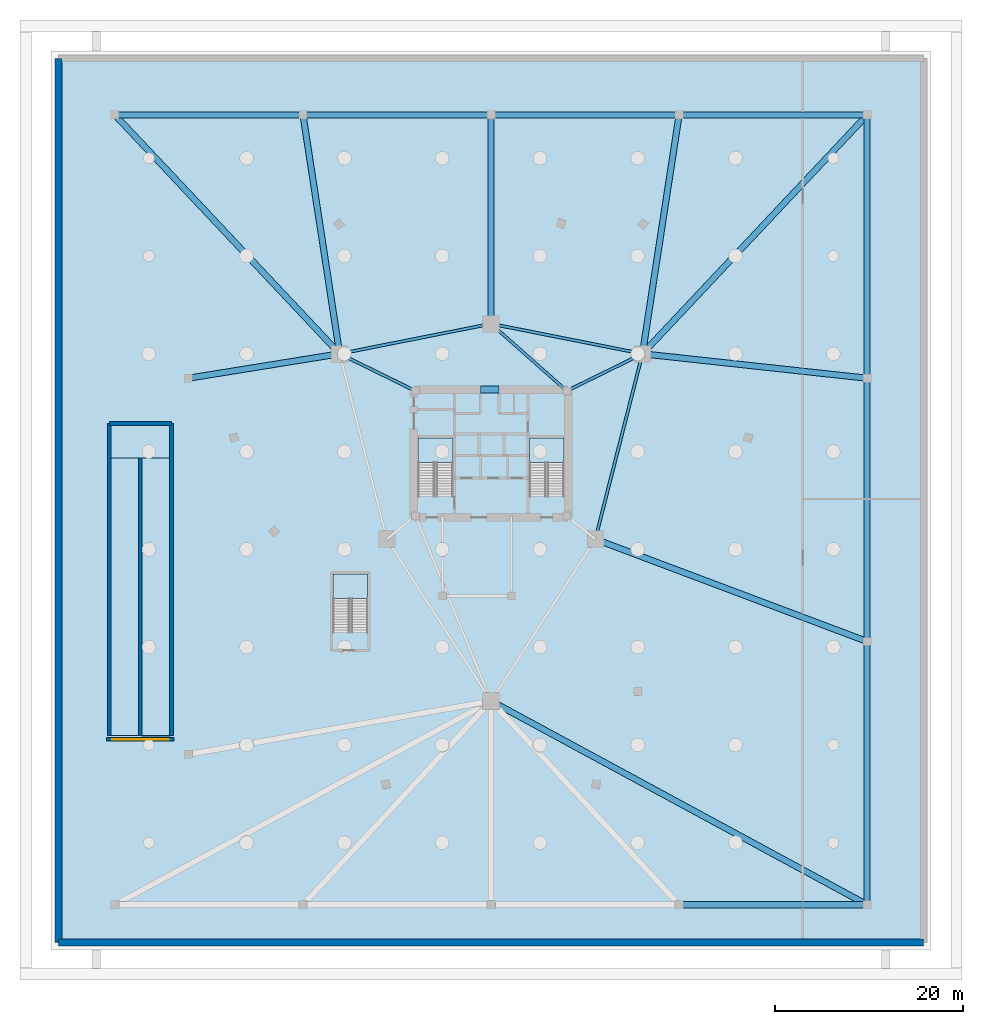
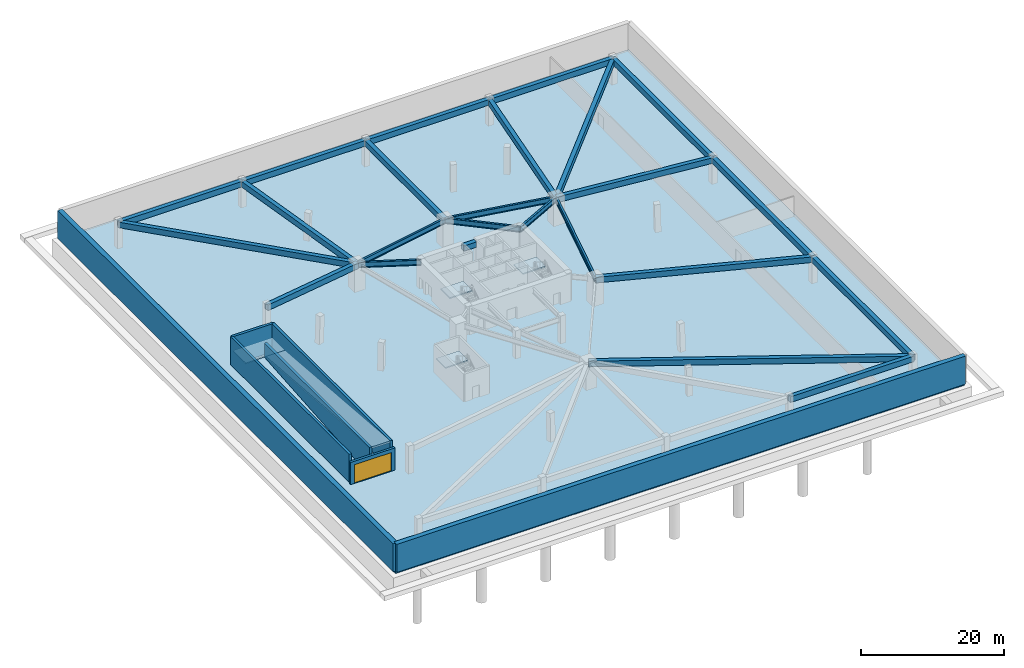
# One storey, part 2 of 5: 24 beams, 7 slabs, 7 walls, 1 door, 1 opening, 3 elements without a shape of their own.
"""IFC4 building model written with IfcOpenShell, lengths in metres."""

from ifc_helpers import new_model, si_unit, direction, frame, frame_2d, origin, origin_2d, place, context, subcontext, project, spatial, polyline, rectangle, i_section, outline, extrude, material, layer, layer_set, material_profile, profile_set, type_object, element, fill, aggregate, save


model = new_model("IFC4")

# Units and contexts
model_context = context("Model", 3, precision=1e-05, world=origin(), true_north=direction((0.0, 1.0)))
body_context = subcontext(model_context, "Body", "Model", "MODEL_VIEW")
ifc_project = project(units=[si_unit("LENGTHUNIT", "METRE"), si_unit("AREAUNIT", "SQUARE_METRE"), si_unit("VOLUMEUNIT", "CUBIC_METRE"), si_unit("PLANEANGLEUNIT", "RADIAN"), si_unit("MASSUNIT", "GRAM", prefix="KILO")], contexts=[model_context])

# Site, building, storey
site_placement = place(None, origin())
site = spatial("IfcSite", under=ifc_project, at=site_placement, CompositionType="ELEMENT")
building_placement = place(site_placement, origin())
building = spatial("IfcBuilding", under=site, at=building_placement, Name="Talyreon Biosciences Tower", CompositionType="ELEMENT")
storey_placement = place(building_placement, frame((0.0, 0.0, -9.60009765625)))
storey = spatial("IfcBuildingStorey", under=building, at=storey_placement, Name="B2", CompositionType="ELEMENT", Elevation=-9.60009765625)

# Beams
ifc_material_1 = material(Name="Concrete C60/75", Category="concrete")
ifc_material_profile_1 = material_profile(ifc_material_1, rectangle(XDim=0.699951171875, YDim=0.89990234375, at=origin_2d()), Name="RCB 700x900")
ifc_profile_set_1 = profile_set([ifc_material_profile_1], Name="Concrete C60/75")
beam_type_1 = type_object("IfcBeamType", Name="CoreCouplingLintel_700x900", PredefinedType="LINTEL", material=ifc_profile_set_1)
beam_1_placement = place(storey_placement, frame((64.85009765625, 74.800048828125, 4.0), z_axis=(1.0, 0.0, 0.0), x_axis=(0.0, 1.0, 0.0)))
element("IfcBeam", 1, at=beam_1_placement, inside=storey, type_object=beam_type_1, Name="B2 Core Coupling Lintel", PredefinedType="LINTEL", context=body_context, shape_type="SweptSolid", body=[
    extrude(rectangle(XDim=0.699951171875, YDim=0.89990234375, at=origin_2d()), origin(), (0.0, 0.0, 1.0), 2.0),
])
ifc_material_2 = material(Name="Concrete C50/60", Category="concrete")
ifc_material_profile_2 = material_profile(ifc_material_2, rectangle(XDim=0.64990234375, YDim=0.949951171875, at=origin_2d()), Name="RCB 650x950")
ifc_profile_set_2 = profile_set([ifc_material_profile_2], Name="Concrete C50/60")
beam_type_2 = type_object("IfcBeamType", Name="PodiumGirder_650x950", PredefinedType="T_BEAM", material=ifc_profile_set_2)
beam_2_placement = place(storey_placement, frame((86.0, 20.0, 3.97509765625), z_axis=(1.0, 0.0, 0.0), x_axis=(0.0, 1.0, 0.0)))
element("IfcBeam", 2, at=beam_2_placement, inside=storey, type_object=beam_type_2, Name="B2 Podium Perimeter Ring Girder 04", PredefinedType="T_BEAM", context=body_context, shape_type="SweptSolid", body=[
    extrude(rectangle(XDim=0.64990234375, YDim=0.949951171875, at=origin_2d()), origin(), (0.0, 0.0, 1.0), 20.0),
])
for number, where, z_axis, x_axis, name in (
    (3, (106.0, 20.0, 3.97509765625), (0.0, 1.0, 0.0), (-1.0, 0.0, 0.0), "B2 Podium Perimeter Ring Girder 05"),
    (4, (106.0, 48.0, 3.97509765625), (0.0, 1.0, 0.0), (-1.0, 0.0, 0.0), "B2 Podium Perimeter Ring Girder 06"),
    (5, (106.0, 76.0, 3.97509765625), (0.0, 1.0, 0.0), (-1.0, 0.0, 0.0), "B2 Podium Perimeter Ring Girder 07"),
):
    element("IfcBeam", number, at=place(storey_placement, frame(where, z_axis=z_axis, x_axis=x_axis)), inside=storey, type_object=beam_type_2, Name=name, PredefinedType="T_BEAM", context=body_context, shape_type="SweptSolid", body=[
        extrude(rectangle(XDim=0.64990234375, YDim=0.949951171875, at=origin_2d()), origin(), (0.0, 0.0, 1.0), 28.0),
    ])
for number, where, z_axis, x_axis, name in (
    (6, (106.0, 104.0, 3.97509765625), (-1.0, 0.0, 0.0), (0.0, -1.0, 0.0), "B2 Podium Perimeter Ring Girder 08"),
    (7, (86.0, 104.0, 3.97509765625), (-1.0, 0.0, 0.0), (0.0, -1.0, 0.0), "B2 Podium Perimeter Ring Girder 09"),
    (8, (66.0, 104.0, 3.97509765625), (-1.0, 0.0, 0.0), (0.0, -1.0, 0.0), "B2 Podium Perimeter Ring Girder 10"),
    (9, (46.0, 104.0, 3.97509765625), (-1.0, 0.0, 0.0), (0.0, -1.0, 0.0), "B2 Podium Perimeter Ring Girder 11"),
):
    element("IfcBeam", number, at=place(storey_placement, frame(where, z_axis=z_axis, x_axis=x_axis)), inside=storey, type_object=beam_type_2, Name=name, PredefinedType="T_BEAM", context=body_context, shape_type="SweptSolid", body=[
        extrude(rectangle(XDim=0.64990234375, YDim=0.949951171875, at=origin_2d()), origin(), (0.0, 0.0, 1.0), 20.0),
    ])
beam_3_placement = place(storey_placement, frame((66.0, 41.6669921875, 3.97509765625), z_axis=(0.879288969782, -0.47628868097, 0.0), x_axis=(0.47628868097, 0.879288969782, 0.0)))
element("IfcBeam", 10, at=beam_3_placement, inside=storey, type_object=beam_type_2, Name="B2 Podium Radial Tie Girder PDC05", PredefinedType="T_BEAM", context=body_context, shape_type="SweptSolid", body=[
    extrude(rectangle(XDim=0.64990234375, YDim=0.949951171875, at=origin_2d()), origin(), (0.0, 0.0, 1.0), 45.4912109375),
])
beam_4_placement = place(storey_placement, frame((77.086181640625, 58.88037109375, 3.97509765625), z_axis=(0.935927476384, -0.352192786623, 0.0), x_axis=(0.352192786623, 0.935927476384, 0.0)))
element("IfcBeam", 11, at=beam_4_placement, inside=storey, type_object=beam_type_2, Name="B2 Podium Radial Tie Girder PDC06", PredefinedType="T_BEAM", context=body_context, shape_type="SweptSolid", body=[
    extrude(rectangle(XDim=0.64990234375, YDim=0.949951171875, at=origin_2d()), origin(), (0.0, 0.0, 1.0), 30.893310546875),
])
beam_5_placement = place(storey_placement, frame((82.102294921875, 78.5986328125, 3.97509765625), z_axis=(0.994139742168, -0.108102604236, 0.0), x_axis=(0.108102604236, 0.994139742168, 0.0)))
element("IfcBeam", 12, at=beam_5_placement, inside=storey, type_object=beam_type_2, Name="B2 Podium Radial Tie Girder PDC07", PredefinedType="T_BEAM", context=body_context, shape_type="SweptSolid", body=[
    extrude(rectangle(XDim=0.64990234375, YDim=0.949951171875, at=origin_2d()), origin(), (0.0, 0.0, 1.0), 24.03857421875),
])
beam_6_placement = place(storey_placement, frame((82.102294921875, 78.5986328125, 3.97509765625), z_axis=(0.685220788465, 0.728335411095, 0.0), x_axis=(-0.728335411095, 0.685220788465, 0.0)))
element("IfcBeam", 13, at=beam_6_placement, inside=storey, type_object=beam_type_2, Name="B2 Podium Radial Tie Girder PDC08", PredefinedType="T_BEAM", context=body_context, shape_type="SweptSolid", body=[
    extrude(rectangle(XDim=0.64990234375, YDim=0.949951171875, at=origin_2d()), origin(), (0.0, 0.0, 1.0), 34.8759765625),
])
beam_7_placement = place(storey_placement, frame((82.102294921875, 78.5986328125, 3.97509765625), z_axis=(0.151669534412, 0.988431258273, 0.0), x_axis=(-0.988431258273, 0.151669534412, 0.0)))
element("IfcBeam", 14, at=beam_7_placement, inside=storey, type_object=beam_type_2, Name="B2 Podium Radial Tie Girder PDC09", PredefinedType="T_BEAM", context=body_context, shape_type="SweptSolid", body=[
    extrude(rectangle(XDim=0.64990234375, YDim=0.949951171875, at=origin_2d()), origin(), (0.0, 0.0, 1.0), 25.69873046875),
])
beam_8_placement = place(storey_placement, frame((66.0, 81.788818359375, 3.97509765625), z_axis=(0.0, 1.0, 0.0), x_axis=(-1.0, 0.0, 0.0)))
element("IfcBeam", 15, at=beam_8_placement, inside=storey, type_object=beam_type_2, Name="B2 Podium Radial Tie Girder PDC10", PredefinedType="T_BEAM", context=body_context, shape_type="SweptSolid", body=[
    extrude(rectangle(XDim=0.64990234375, YDim=0.949951171875, at=origin_2d()), origin(), (0.0, 0.0, 1.0), 22.211181640625),
])
beam_9_placement = place(storey_placement, frame((49.897705078125, 78.5986328125, 3.97509765625), z_axis=(-0.151669534412, 0.988431258273, 0.0), x_axis=(-0.988431258273, -0.151669534412, 0.0)))
element("IfcBeam", 16, at=beam_9_placement, inside=storey, type_object=beam_type_2, Name="B2 Podium Radial Tie Girder PDC11", PredefinedType="T_BEAM", context=body_context, shape_type="SweptSolid", body=[
    extrude(rectangle(XDim=0.64990234375, YDim=0.949951171875, at=origin_2d()), origin(), (0.0, 0.0, 1.0), 25.69873046875),
])
beam_10_placement = place(storey_placement, frame((49.897705078125, 78.5986328125, 3.97509765625), z_axis=(-0.685220788465, 0.728335411095, 0.0), x_axis=(-0.728335411095, -0.685220788465, 0.0)))
element("IfcBeam", 17, at=beam_10_placement, inside=storey, type_object=beam_type_2, Name="B2 Podium Radial Tie Girder PDC12", PredefinedType="T_BEAM", context=body_context, shape_type="SweptSolid", body=[
    extrude(rectangle(XDim=0.64990234375, YDim=0.949951171875, at=origin_2d()), origin(), (0.0, 0.0, 1.0), 34.8759765625),
])
beam_11_placement = place(storey_placement, frame((49.897705078125, 78.5986328125, 3.97509765625), z_axis=(-0.987219548989, -0.159366125932, 0.0), x_axis=(0.159366125932, -0.987219548989, 0.0)))
element("IfcBeam", 18, at=beam_11_placement, inside=storey, type_object=beam_type_2, Name="B2 Podium Radial Tie Girder PDC13", PredefinedType="T_BEAM", context=body_context, shape_type="SweptSolid", body=[
    extrude(rectangle(XDim=0.64990234375, YDim=0.949951171875, at=origin_2d()), origin(), (0.0, 0.0, 1.0), 16.30615234375),
])
ifc_material_3 = material(Name="Steel SM420", Category="steel")
ifc_material_profile_3 = material_profile(ifc_material_3, i_section(OverallWidth=0.300048828125, OverallDepth=0.89990234375, WebThickness=0.0185546875, FlangeThickness=0.034912109375, FilletRadius=0.030029296875, at=origin_2d()), Name="HE900B")
ifc_profile_set_3 = profile_set([ifc_material_profile_3], Name="Steel SM420")
beam_type_3 = type_object("IfcBeamType", Name="SteelGirder_HE900B", PredefinedType="BEAM", material=ifc_profile_set_3)
beam_12_placement = place(storey_placement, frame((77.086181640625, 58.88037109375, 4.0), z_axis=(0.246537082299, 0.969133358755, 0.0), x_axis=(-0.969133358755, 0.246537082299, 0.0)))
element("IfcBeam", 19, at=beam_12_placement, inside=storey, type_object=beam_type_3, Name="B2 Mega-Ring Girder 2", PredefinedType="BEAM", context=body_context, shape_type="SweptSolid", body=[
    extrude(i_section(OverallWidth=0.300048828125, OverallDepth=0.89990234375, WebThickness=0.0185546875, FlangeThickness=0.034912109375, FilletRadius=0.030029296875, at=origin_2d()), origin(), (0.0, 0.0, 1.0), 20.34619140625),
])
for number, where, z_axis, x_axis, name in (
    (20, (82.102294921875, 78.5986328125, 4.0), (-0.980933730698, 0.194342522311, 0.0), (-0.194342522311, -0.980933730698, 0.0), "B2 Mega-Ring Girder 3"),
    (21, (66.0, 81.788818359375, 4.0), (-0.980933730698, -0.194342522311, 0.0), (0.194342522311, -0.980933730698, 0.0), "B2 Mega-Ring Girder 4"),
):
    element("IfcBeam", number, at=place(storey_placement, frame(where, z_axis=z_axis, x_axis=x_axis)), inside=storey, type_object=beam_type_3, Name=name, PredefinedType="BEAM", context=body_context, shape_type="SweptSolid", body=[
        extrude(i_section(OverallWidth=0.300048828125, OverallDepth=0.89990234375, WebThickness=0.0185546875, FlangeThickness=0.034912109375, FilletRadius=0.030029296875, at=origin_2d()), origin(), (0.0, 0.0, 1.0), 16.415283203125),
    ])
beam_13_placement = place(storey_placement, frame((74.050048828125, 74.64990234375, 4.0), z_axis=(0.897852360314, 0.440296648952, 0.0), x_axis=(-0.440296648952, 0.897852360314, 0.0)))
element("IfcBeam", 22, at=beam_13_placement, inside=storey, type_object=beam_type_3, Name="B2 Radial Primary Girder 3", PredefinedType="BEAM", context=body_context, shape_type="SweptSolid", body=[
    extrude(i_section(OverallWidth=0.300048828125, OverallDepth=0.89990234375, WebThickness=0.0185546875, FlangeThickness=0.034912109375, FilletRadius=0.030029296875, at=origin_2d()), origin(), (0.0, 0.0, 1.0), 8.96826171875),
])
beam_14_placement = place(storey_placement, frame((74.050048828125, 74.64990234375, 4.0), z_axis=(-0.748178733955, 0.663497235908, 0.0), x_axis=(-0.663497235908, -0.748178733955, 0.0)))
element("IfcBeam", 23, at=beam_14_placement, inside=storey, type_object=beam_type_3, Name="B2 Radial Primary Girder 4", PredefinedType="BEAM", context=body_context, shape_type="SweptSolid", body=[
    extrude(i_section(OverallWidth=0.300048828125, OverallDepth=0.89990234375, WebThickness=0.0185546875, FlangeThickness=0.034912109375, FilletRadius=0.030029296875, at=origin_2d()), origin(), (0.0, 0.0, 1.0), 10.759521484375),
])
beam_15_placement = place(storey_placement, frame((57.949951171875, 74.64990234375, 4.0), z_axis=(-0.897852360314, 0.440296648952, 0.0), x_axis=(-0.440296648952, -0.897852360314, 0.0)))
element("IfcBeam", 24, at=beam_15_placement, inside=storey, type_object=beam_type_3, Name="B2 Radial Primary Girder 5", PredefinedType="BEAM", context=body_context, shape_type="SweptSolid", body=[
    extrude(i_section(OverallWidth=0.300048828125, OverallDepth=0.89990234375, WebThickness=0.0185546875, FlangeThickness=0.034912109375, FilletRadius=0.030029296875, at=origin_2d()), origin(), (0.0, 0.0, 1.0), 8.96826171875),
])

# Slabs
ifc_layer_1 = layer(ifc_material_2, 0.449951171875)
ifc_layer_set_1 = layer_set([ifc_layer_1], Name="Concrete C50/60")
slab_type_1 = type_object("IfcSlabType", Name="BasementSubbaseSlab_450", PredefinedType="BASESLAB", material=ifc_layer_set_1)
slab_1_placement = place(storey_placement, frame((0.0, 0.0, -0.449951171875)))
element("IfcSlab", 25, at=slab_1_placement, inside=storey, type_object=slab_type_1, Name="B2 Structural Floor Slab", PredefinedType="BASESLAB", context=body_context, shape_type="SweptSolid", body=[
    extrude(outline(polyline([(20.0, 16.0), (112.0, 16.0), (112.0, 110.0), (20.0, 110.0), (20.0, 16.0)]), holes=[polyline([(32.0, 38.0), (32.0, 71.199951171875), (25.39990234375, 71.199951171875), (25.39990234375, 38.0), (32.0, 38.0)])]), origin(), (0.0, 0.0, 1.0), 0.449951171875),
])
ifc_material_4 = material(Name="Concrete C40/50", Category="concrete")
ifc_layer_2 = layer(ifc_material_4, 0.320068359375)
ifc_layer_set_2 = layer_set([ifc_layer_2], Name="Concrete C40/50")
slab_type_2 = type_object("IfcSlabType", Name="RampFlightSlab_320", PredefinedType="LANDING", material=ifc_layer_set_2)
slab_2_placement = place(storey_placement, frame((25.5, 38.0, 0.0), z_axis=(0.0, -0.081092939253, 0.996706544176), x_axis=(1.0, 0.0, 0.0)))
element("IfcSlab", 26, at=slab_2_placement, inside=storey, type_object=slab_type_2, Name="B2 Vehicle Ramp Flight A", PredefinedType="LANDING", context=body_context, shape_type="SweptSolid", body=[
    extrude(outline(polyline([(0.0, 0.0), (3.10009765625, 0.0), (3.10009765625, 29.597477986248386), (0.0, 29.597477986248386), (0.0, 0.0)])), origin(), (0.0, 0.0, -1.0), 0.320068359375),
])
slab_3_placement = place(storey_placement, frame((28.800048828125, 67.5, 2.400146484375), z_axis=(0.0, 0.081084744792, 0.996707210851), x_axis=(1.0, 0.0, 0.0)))
element("IfcSlab", 27, at=slab_3_placement, inside=storey, type_object=slab_type_2, Name="B2 Vehicle Ramp Flight B", PredefinedType="LANDING", context=body_context, shape_type="SweptSolid", body=[
    extrude(outline(polyline([(0.0, 0.0), (3.099853515625, 0.0), (3.099853515625, -29.59745818916781), (0.0, -29.59745818916781), (0.0, 0.0)])), origin(), (0.0, 0.0, -1.0), 0.320068359375),
])
ifc_layer_3 = layer(ifc_material_4, 0.199951171875)
ifc_layer_set_3 = layer_set([ifc_layer_3], Name="Concrete C40/50")
slab_type_3 = type_object("IfcSlabType", Name="StairLandingSlab_200", PredefinedType="LANDING", material=ifc_layer_set_3)
slab_4_placement = place(storey_placement, frame((0.0, 0.0, 2.2001953125)))
element("IfcSlab", 28, at=slab_4_placement, inside=storey, type_object=slab_type_3, Name="B2 Vehicle Ramp Mid-Landing", PredefinedType="LANDING", context=body_context, shape_type="SweptSolid", body=[
    extrude(outline(polyline([(25.5, 67.5), (31.89990234375, 67.5), (31.89990234375, 71.10009765625), (25.5, 71.10009765625), (25.5, 67.5)])), origin(), (0.0, 0.0, 1.0), 0.199951171875),
])

# Stair, slab
stair_type = type_object("IfcStairType", Name="DoglegEscapeStair_4800", PredefinedType="HALF_TURN_STAIR", material=ifc_material_4)
stair_1_placement = place(storey_placement, origin())
stair_1 = element("IfcStair", 29, at=stair_1_placement, inside=storey, type_object=stair_type, Name="B2 Core Escape Stair 1", PredefinedType="HALF_TURN_STAIR")
slab_5_placement = place(storey_placement, frame((0.0, 0.0, 2.2001953125)))
slab_5 = element("IfcSlab", 30, at=slab_5_placement, type_object=slab_type_3, Name="ST-1 landing 1", PredefinedType="LANDING", context=body_context, shape_type="SweptSolid", body=[
    extrude(outline(polyline([(61.929931640625, 67.0400390625), (61.929931640625, 69.64990234375), (58.25, 69.64990234375), (58.25, 67.0400390625), (61.929931640625, 67.0400390625)])), origin(), (0.0, 0.0, 1.0), 0.199951171875),
])
aggregate(stair_1, [slab_5])

stair_2_placement = place(storey_placement, origin())
stair_2 = element("IfcStair", 31, at=stair_2_placement, inside=storey, type_object=stair_type, Name="B2 Core Escape Stair 2", PredefinedType="HALF_TURN_STAIR")
slab_6_placement = place(storey_placement, frame((0.0, 0.0, 2.2001953125)))
slab_6 = element("IfcSlab", 32, at=slab_6_placement, type_object=slab_type_3, Name="ST-2 landing 1", PredefinedType="LANDING", context=body_context, shape_type="SweptSolid", body=[
    extrude(outline(polyline([(73.75, 67.0400390625), (73.75, 69.64990234375), (70.070068359375, 69.64990234375), (70.070068359375, 67.0400390625), (73.75, 67.0400390625)])), origin(), (0.0, 0.0, 1.0), 0.199951171875),
])
aggregate(stair_2, [slab_6])

stair_3_placement = place(storey_placement, origin())
stair_3 = element("IfcStair", 33, at=stair_3_placement, inside=storey, type_object=stair_type, Name="B2 Podium Escape Stair 3", PredefinedType="HALF_TURN_STAIR")
slab_7_placement = place(storey_placement, frame((0.0, 0.0, 2.2001953125)))
slab_7 = element("IfcSlab", 34, at=slab_7_placement, type_object=slab_type_3, Name="ST-3 landing 1", PredefinedType="LANDING", context=body_context, shape_type="SweptSolid", body=[
    extrude(outline(polyline([(52.8798828125, 52.590087890625), (52.8798828125, 55.199951171875), (49.199951171875, 55.199951171875), (49.199951171875, 52.590087890625), (52.8798828125, 52.590087890625)])), origin(), (0.0, 0.0, 1.0), 0.199951171875),
])
aggregate(stair_3, [slab_7])

# Walls
ifc_layer_4 = layer(ifc_material_2, 0.75)
ifc_layer_set_4 = layer_set([ifc_layer_4], Name="Concrete C50/60")
wall_type_1 = type_object("IfcWallType", Name="BasementRetainingWall_750", PredefinedType="SOLIDWALL", material=ifc_layer_set_4)
wall_1_placement = place(storey_placement, frame((20.0, 16.0, 0.0), z_axis=(0.0, 0.0, 1.0), x_axis=(1.0, 0.0, 0.0)))
element("IfcWall", 35, at=wall_1_placement, inside=storey, type_object=wall_type_1, Name="B2 Watertight Retaining Wall S", PredefinedType="SOLIDWALL", context=body_context, shape_type="SweptSolid", body=[
    extrude(rectangle(XDim=92.0, YDim=0.75, at=frame_2d((46.0, 0.0))), origin(), (0.0, 0.0, 1.0), 4.800048828125),
])
wall_2_placement = place(storey_placement, frame((20.0, 110.0, 0.0), z_axis=(0.0, 0.0, 1.0), x_axis=(0.0, -1.0, 0.0)))
element("IfcWall", 36, at=wall_2_placement, inside=storey, type_object=wall_type_1, Name="B2 Watertight Retaining Wall W", PredefinedType="SOLIDWALL", context=body_context, shape_type="SweptSolid", body=[
    extrude(rectangle(XDim=94.0, YDim=0.75, at=frame_2d((47.0, 0.0))), origin(), (0.0, 0.0, 1.0), 4.800048828125),
])
ifc_layer_5 = layer(ifc_material_2, 0.39990234375)
ifc_layer_set_5 = layer_set([ifc_layer_5], Name="Concrete C50/60")
wall_type_2 = type_object("IfcWallType", Name="CoreShearWall_400", PredefinedType="SHEAR", material=ifc_layer_set_5)
for number, where, z_axis, x_axis, name in (
    (37, (25.39990234375, 38.0, 0.0), (0.0, 0.0, 1.0), (0.0, 1.0, 0.0), "B2 Vehicle Ramp Bearing Wall W"),
    (38, (32.0, 38.0, 0.0), (0.0, 0.0, 1.0), (0.0, 1.0, 0.0), "B2 Vehicle Ramp Bearing Wall E"),
):
    element("IfcWall", number, at=place(storey_placement, frame(where, z_axis=z_axis, x_axis=x_axis)), inside=storey, type_object=wall_type_2, Name=name, PredefinedType="SHEAR", context=body_context, shape_type="SweptSolid", body=[
        extrude(rectangle(XDim=33.199951171875, YDim=0.39990234375, at=frame_2d((16.60009765625, 0.0))), origin(), (0.0, 0.0, 1.0), 4.800048828125),
    ])
wall_3_placement = place(storey_placement, frame((25.39990234375, 71.199951171875, 0.0), z_axis=(0.0, 0.0, 1.0), x_axis=(1.0, 0.0, 0.0)))
element("IfcWall", 39, at=wall_3_placement, inside=storey, type_object=wall_type_2, Name="B2 Vehicle Ramp Bearing Wall N", PredefinedType="SHEAR", context=body_context, shape_type="SweptSolid", body=[
    extrude(rectangle(XDim=6.60009765625, YDim=0.39990234375, at=frame_2d((3.300048828125, 0.0))), origin(), (0.0, 0.0, 1.0), 4.800048828125),
])
wall_4_placement = place(storey_placement, frame((28.699951171875, 38.0, 0.0), z_axis=(0.0, 0.0, 1.0), x_axis=(0.0, 1.0, 0.0)))
element("IfcWall", 40, at=wall_4_placement, inside=storey, type_object=wall_type_2, Name="B2 Vehicle Ramp Bearing Wall M", PredefinedType="SHEAR", context=body_context, shape_type="SweptSolid", body=[
    extrude(rectangle(XDim=29.5, YDim=0.39990234375, at=frame_2d((14.75, 0.0))), origin(), (0.0, 0.0, 1.0), 4.800048828125),
])

# Wall, opening, door
ifc_material_5 = material(Name="Precast concrete C45/55", Category="concrete")
ifc_layer_6 = layer(ifc_material_5, 0.3798828125)
ifc_layer_set_6 = layer_set([ifc_layer_6], Name="Precast concrete C45/55")
wall_type_3 = type_object("IfcWallType", Name="PrecastConcretePodiumWall_380", PredefinedType="STANDARD", material=ifc_layer_set_6)
wall_5_placement = place(storey_placement, frame((32.300048828125, 37.60009765625, 0.0), z_axis=(0.0, 0.0, 1.0), x_axis=(-1.0, 0.0, 0.0)))
wall_5 = element("IfcWall", 41, at=wall_5_placement, inside=storey, type_object=wall_type_3, Name="B2 Vehicle Ramp Portal Wall VG-B2-01", PredefinedType="STANDARD", context=body_context, shape_type="SweptSolid", body=[
    extrude(rectangle(XDim=7.199951171875, YDim=0.3798828125, at=frame_2d((3.60009765625, 0.0))), origin(), (0.0, 0.0, 1.0), 3.800048828125),
])
opening_placement = place(wall_5_placement, frame((0.60009765625, 0.0, 0.0)))
opening = element("IfcOpeningElement", 42, at=opening_placement, cuts=wall_5, Name="Opening VG-B2-01", PredefinedType="OPENING", context=body_context, shape_type="SweptSolid", body=[
    extrude(rectangle(XDim=6.0, YDim=3.199951171875, at=frame_2d((3.0, 1.60009765625))), frame((0.0, 0.199951171875, 0.0), z_axis=(0.0, -1.0, 0.0), x_axis=(1.0, 0.0, 0.0)), (0.0, 0.0, 1.0), 0.39990234375),
])
ifc_material_6 = material(Name="Motorised insulated steel roller shutter gate", Category="steel")
door_type = type_object("IfcDoorType", Name="VehicleRollerShutterGate_6000x3200", OperationType="ROLLINGUP", PredefinedType="GATE", material=ifc_material_6)
door_placement = place(opening_placement, origin())
door = element("IfcDoor", 43, at=door_placement, inside=storey, type_object=door_type, Name="B2 Roller Shutter Gate VG-B2-01", OperationType="ROLLINGUP", OverallHeight=3.199951171875, OverallWidth=6.0, PredefinedType="GATE", context=body_context, shape_type="SweptSolid", body=[
    extrude(rectangle(XDim=6.0, YDim=3.199951171875, at=frame_2d((3.0, 1.60009765625))), frame((0.0, 0.02490234375, 0.0), z_axis=(0.0, -1.0, 0.0), x_axis=(1.0, 0.0, 0.0)), (0.0, 0.0, 1.0), 0.050048828125),
])
fill(opening, door)

save(model, "model.ifc")
